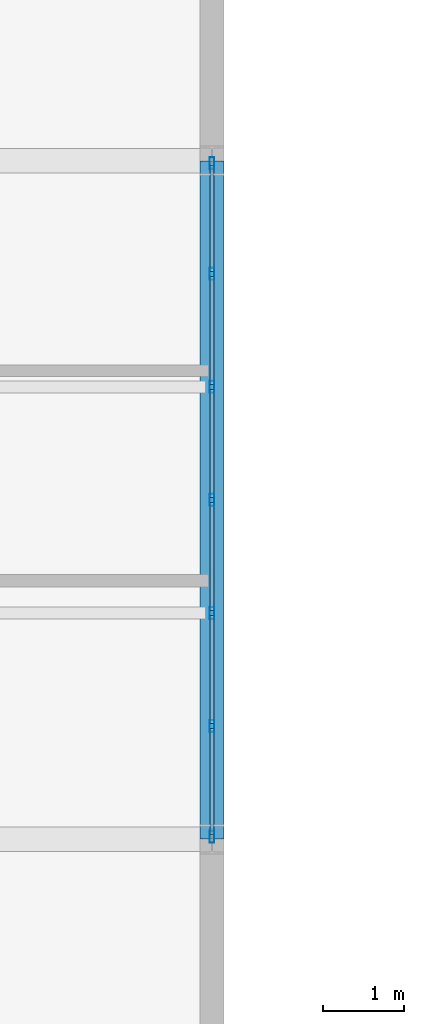
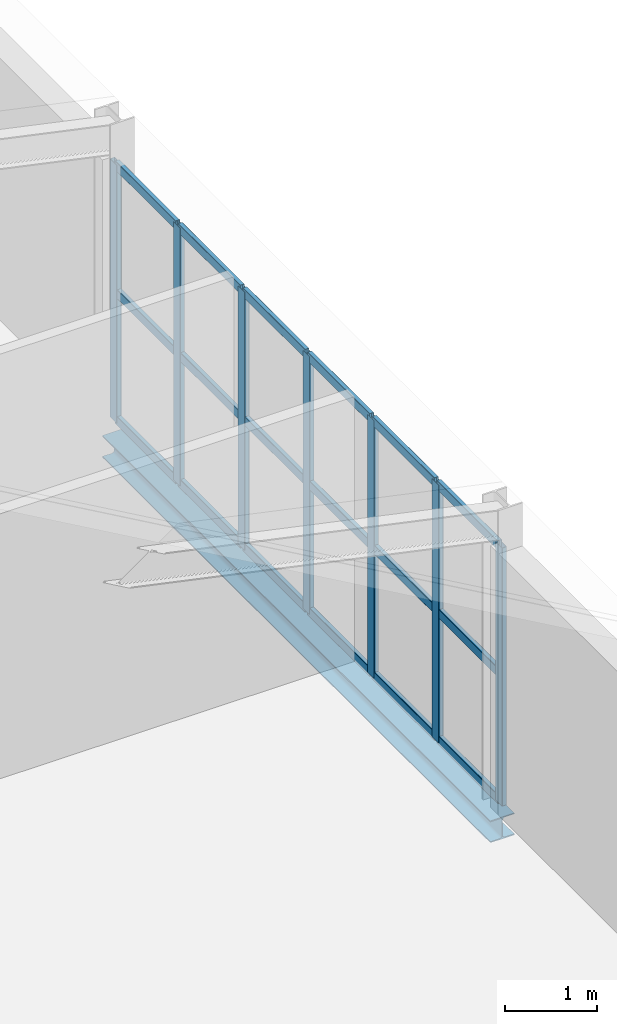
# One storey, part 58 of 184: 25 members, 1 beam, 1 element without a shape of its own.
"""IFC4 building model written with IfcOpenShell, lengths in metres."""

from ifc_helpers import new_model, si_unit, direction, frame, origin, origin_2d, place, context, subcontext, project, spatial, hollow_rectangle, i_section, extrude, material, layer, layer_set, material_profile, profile_set, type_object, element, aggregate, save


model = new_model("IFC4")

# Units and contexts
model_context = context("Model", 3, precision=1e-05, world=origin(), true_north=direction((0.0, 1.0)))
body_context = subcontext(model_context, "Body", "Model", "MODEL_VIEW")
ifc_project = project(units=[si_unit("LENGTHUNIT", "METRE"), si_unit("AREAUNIT", "SQUARE_METRE"), si_unit("VOLUMEUNIT", "CUBIC_METRE"), si_unit("PLANEANGLEUNIT", "RADIAN"), si_unit("MASSUNIT", "GRAM", prefix="KILO")], contexts=[model_context])

# Site, building, storey
site_placement = place(None, origin())
site = spatial("IfcSite", under=ifc_project, at=site_placement, CompositionType="ELEMENT")
building_placement = place(site_placement, origin())
building = spatial("IfcBuilding", under=site, at=building_placement, Name="Qalvenar Corner Mobility Hub", CompositionType="ELEMENT")
storey_placement = place(building_placement, frame((0.0, 0.0, 9.0)))
storey = spatial("IfcBuildingStorey", under=building, at=storey_placement, Name="L02", CompositionType="ELEMENT", Elevation=9.0)

# Beam
ifc_material_1 = material(Name="Steel S355", Category="steel")
ifc_material_profile_1 = material_profile(ifc_material_1, i_section(OverallWidth=0.300048828125, OverallDepth=0.2900390625, WebThickness=0.008544921875, FlangeThickness=0.013916015625, FilletRadius=0.027099609375, at=origin_2d()), Name="HEA300")
ifc_profile_set_1 = profile_set([ifc_material_profile_1], Name="Steel S355")
beam_type = type_object("IfcBeamType", Name="BM-SPN300", PredefinedType="SPANDREL", material=ifc_profile_set_1)
beam_placement = place(storey_placement, frame((33.60009765625, 50.39990234375, -0.324951171875), z_axis=(0.0, 1.0, 0.0), x_axis=(-1.0, 0.0, 0.0)))
element("IfcBeam", 1, at=beam_placement, inside=storey, type_object=beam_type, Name="Primary Steel Girder GY-1860", PredefinedType="SPANDREL", context=body_context, shape_type="SweptSolid", body=[
    extrude(i_section(OverallWidth=0.300048828125, OverallDepth=0.2900390625, WebThickness=0.008544921875, FlangeThickness=0.013916015625, FilletRadius=0.027099609375, at=origin_2d()), origin(), (0.0, 0.0, 1.0), 8.400146484375),
])

# Curtain wall, members
ifc_material_2 = material(Name="Anodised Aluminium and Low-E Glazing", Category="aluminium")
ifc_layer = layer(ifc_material_2, 0.14990234375)
ifc_layer_set = layer_set([ifc_layer], Name="Anodised Aluminium and Low-E Glazing")
curtain_wall_type = type_object("IfcCurtainWallType", Name="CW-CYC-84X39", PredefinedType="NOTDEFINED", material=ifc_layer_set)
curtain_wall_placement = place(storey_placement, origin())
curtain_wall = element("IfcCurtainWall", 2, at=curtain_wall_placement, inside=storey, type_object=curtain_wall_type, Name="Glazed Curtain Wall CW-V5-L02-E1", PredefinedType="NOTDEFINED")
ifc_material_3 = material(Name="Anodised Aluminium 6063-T6", Category="aluminium")
ifc_material_profile_2 = material_profile(ifc_material_3, hollow_rectangle(XDim=0.06005859375, YDim=0.14990234375, WallThickness=0.00390625, InnerFilletRadius=0.00390625, OuterFilletRadius=0.008056640625, at=origin_2d()), Name="RHS150x60x4")
ifc_profile_set_2 = profile_set([ifc_material_profile_2], Name="Anodised Aluminium 6063-T6")
member_type_1 = type_object("IfcMemberType", Name="CW-MUL150", PredefinedType="MULLION", material=ifc_profile_set_2)
member_1_placement = place(storey_placement, frame((33.60009765625, 50.429931640625, 0.0), z_axis=(0.0, 0.0, 1.0), x_axis=(-1.0, 0.0, 0.0)))
member_1 = element("IfcMember", 3, at=member_1_placement, type_object=member_type_1, Name="CW-08 mullion 1", PredefinedType="MULLION", context=body_context, shape_type="SweptSolid", body=[
    extrude(hollow_rectangle(XDim=0.06005859375, YDim=0.14990234375, WallThickness=0.00390625, InnerFilletRadius=0.00390625, OuterFilletRadius=0.008056640625, at=origin_2d()), origin(), (0.0, 0.0, 1.0), 3.409912109375),
])
member_2_placement = place(storey_placement, frame((33.60009765625, 51.800048828125, 0.0), z_axis=(0.0, 0.0, 1.0), x_axis=(-1.0, 0.0, 0.0)))
member_2 = element("IfcMember", 4, at=member_2_placement, type_object=member_type_1, Name="CW-08 mullion 2", PredefinedType="MULLION", context=body_context, shape_type="SweptSolid", body=[
    extrude(hollow_rectangle(XDim=0.06005859375, YDim=0.14990234375, WallThickness=0.00390625, InnerFilletRadius=0.00390625, OuterFilletRadius=0.008056640625, at=origin_2d()), origin(), (0.0, 0.0, 1.0), 3.409912109375),
])
member_3_placement = place(storey_placement, frame((33.60009765625, 53.199951171875, 0.0), z_axis=(0.0, 0.0, 1.0), x_axis=(-1.0, 0.0, 0.0)))
member_3 = element("IfcMember", 5, at=member_3_placement, type_object=member_type_1, Name="CW-08 mullion 3", PredefinedType="MULLION", context=body_context, shape_type="SweptSolid", body=[
    extrude(hollow_rectangle(XDim=0.06005859375, YDim=0.14990234375, WallThickness=0.00390625, InnerFilletRadius=0.00390625, OuterFilletRadius=0.008056640625, at=origin_2d()), origin(), (0.0, 0.0, 1.0), 3.409912109375),
])
member_4_placement = place(storey_placement, frame((33.60009765625, 54.60009765625, 0.0), z_axis=(0.0, 0.0, 1.0), x_axis=(-1.0, 0.0, 0.0)))
member_4 = element("IfcMember", 6, at=member_4_placement, type_object=member_type_1, Name="CW-08 mullion 4", PredefinedType="MULLION", context=body_context, shape_type="SweptSolid", body=[
    extrude(hollow_rectangle(XDim=0.06005859375, YDim=0.14990234375, WallThickness=0.00390625, InnerFilletRadius=0.00390625, OuterFilletRadius=0.008056640625, at=origin_2d()), origin(), (0.0, 0.0, 1.0), 3.409912109375),
])
member_5_placement = place(storey_placement, frame((33.60009765625, 56.0, 0.0), z_axis=(0.0, 0.0, 1.0), x_axis=(-1.0, 0.0, 0.0)))
member_5 = element("IfcMember", 7, at=member_5_placement, type_object=member_type_1, Name="CW-08 mullion 5", PredefinedType="MULLION", context=body_context, shape_type="SweptSolid", body=[
    extrude(hollow_rectangle(XDim=0.06005859375, YDim=0.14990234375, WallThickness=0.00390625, InnerFilletRadius=0.00390625, OuterFilletRadius=0.008056640625, at=origin_2d()), origin(), (0.0, 0.0, 1.0), 3.409912109375),
])
member_6_placement = place(storey_placement, frame((33.60009765625, 57.39990234375, 0.0), z_axis=(0.0, 0.0, 1.0), x_axis=(-1.0, 0.0, 0.0)))
member_6 = element("IfcMember", 8, at=member_6_placement, type_object=member_type_1, Name="CW-08 mullion 6", PredefinedType="MULLION", context=body_context, shape_type="SweptSolid", body=[
    extrude(hollow_rectangle(XDim=0.06005859375, YDim=0.14990234375, WallThickness=0.00390625, InnerFilletRadius=0.00390625, OuterFilletRadius=0.008056640625, at=origin_2d()), origin(), (0.0, 0.0, 1.0), 3.409912109375),
])
member_7_placement = place(storey_placement, frame((33.60009765625, 58.77001953125, 0.0), z_axis=(0.0, 0.0, 1.0), x_axis=(-1.0, 0.0, 0.0)))
member_7 = element("IfcMember", 9, at=member_7_placement, type_object=member_type_1, Name="CW-08 mullion 7", PredefinedType="MULLION", context=body_context, shape_type="SweptSolid", body=[
    extrude(hollow_rectangle(XDim=0.06005859375, YDim=0.14990234375, WallThickness=0.00390625, InnerFilletRadius=0.00390625, OuterFilletRadius=0.008056640625, at=origin_2d()), origin(), (0.0, 0.0, 1.0), 3.409912109375),
])
ifc_material_profile_3 = material_profile(ifc_material_3, hollow_rectangle(XDim=0.054931640625, YDim=0.1201171875, WallThickness=0.00341796875, InnerFilletRadius=0.00341796875, OuterFilletRadius=0.007080078125, at=origin_2d()), Name="RHS120x55x3.5")
ifc_profile_set_3 = profile_set([ifc_material_profile_3], Name="Anodised Aluminium 6063-T6")
member_type_2 = type_object("IfcMemberType", Name="CW-TRN120", PredefinedType="USERDEFINED", material=ifc_profile_set_3)
member_8_placement = place(storey_placement, frame((33.60009765625, 50.4599609375, 0.027587890625), z_axis=(0.0, 1.0, 0.0), x_axis=(-1.0, 0.0, 0.0)))
member_8 = element("IfcMember", 10, at=member_8_placement, type_object=member_type_2, Name="CW-08 transom 1.1", ObjectType="TRANSOM", PredefinedType="USERDEFINED", context=body_context, shape_type="SweptSolid", body=[
    extrude(hollow_rectangle(XDim=0.054931640625, YDim=0.1201171875, WallThickness=0.00341796875, InnerFilletRadius=0.00341796875, OuterFilletRadius=0.007080078125, at=origin_2d()), origin(), (0.0, 0.0, 1.0), 1.31005859375),
])
member_9_placement = place(storey_placement, frame((33.60009765625, 50.4599609375, 1.705078125), z_axis=(0.0, 1.0, 0.0), x_axis=(-1.0, 0.0, 0.0)))
member_9 = element("IfcMember", 11, at=member_9_placement, type_object=member_type_2, Name="CW-08 transom 1.2", ObjectType="TRANSOM", PredefinedType="USERDEFINED", context=body_context, shape_type="SweptSolid", body=[
    extrude(hollow_rectangle(XDim=0.054931640625, YDim=0.1201171875, WallThickness=0.00341796875, InnerFilletRadius=0.00341796875, OuterFilletRadius=0.007080078125, at=origin_2d()), origin(), (0.0, 0.0, 1.0), 1.31005859375),
])
member_10_placement = place(storey_placement, frame((33.60009765625, 50.4599609375, 3.382568359375), z_axis=(0.0, 1.0, 0.0), x_axis=(-1.0, 0.0, 0.0)))
member_10 = element("IfcMember", 12, at=member_10_placement, type_object=member_type_2, Name="CW-08 transom 1.3", ObjectType="TRANSOM", PredefinedType="USERDEFINED", context=body_context, shape_type="SweptSolid", body=[
    extrude(hollow_rectangle(XDim=0.054931640625, YDim=0.1201171875, WallThickness=0.00341796875, InnerFilletRadius=0.00341796875, OuterFilletRadius=0.007080078125, at=origin_2d()), origin(), (0.0, 0.0, 1.0), 1.31005859375),
])
member_11_placement = place(storey_placement, frame((33.60009765625, 51.830078125, 0.027587890625), z_axis=(0.0, 1.0, 0.0), x_axis=(-1.0, 0.0, 0.0)))
member_11 = element("IfcMember", 13, at=member_11_placement, type_object=member_type_2, Name="CW-08 transom 2.1", ObjectType="TRANSOM", PredefinedType="USERDEFINED", context=body_context, shape_type="SweptSolid", body=[
    extrude(hollow_rectangle(XDim=0.054931640625, YDim=0.1201171875, WallThickness=0.00341796875, InnerFilletRadius=0.00341796875, OuterFilletRadius=0.007080078125, at=origin_2d()), origin(), (0.0, 0.0, 1.0), 1.33984375),
])
member_12_placement = place(storey_placement, frame((33.60009765625, 51.830078125, 1.705078125), z_axis=(0.0, 1.0, 0.0), x_axis=(-1.0, 0.0, 0.0)))
member_12 = element("IfcMember", 14, at=member_12_placement, type_object=member_type_2, Name="CW-08 transom 2.2", ObjectType="TRANSOM", PredefinedType="USERDEFINED", context=body_context, shape_type="SweptSolid", body=[
    extrude(hollow_rectangle(XDim=0.054931640625, YDim=0.1201171875, WallThickness=0.00341796875, InnerFilletRadius=0.00341796875, OuterFilletRadius=0.007080078125, at=origin_2d()), origin(), (0.0, 0.0, 1.0), 1.33984375),
])
member_13_placement = place(storey_placement, frame((33.60009765625, 51.830078125, 3.382568359375), z_axis=(0.0, 1.0, 0.0), x_axis=(-1.0, 0.0, 0.0)))
member_13 = element("IfcMember", 15, at=member_13_placement, type_object=member_type_2, Name="CW-08 transom 2.3", ObjectType="TRANSOM", PredefinedType="USERDEFINED", context=body_context, shape_type="SweptSolid", body=[
    extrude(hollow_rectangle(XDim=0.054931640625, YDim=0.1201171875, WallThickness=0.00341796875, InnerFilletRadius=0.00341796875, OuterFilletRadius=0.007080078125, at=origin_2d()), origin(), (0.0, 0.0, 1.0), 1.33984375),
])
member_14_placement = place(storey_placement, frame((33.60009765625, 53.22998046875, 0.027587890625), z_axis=(0.0, 1.0, 0.0), x_axis=(-1.0, 0.0, 0.0)))
member_14 = element("IfcMember", 16, at=member_14_placement, type_object=member_type_2, Name="CW-08 transom 3.1", ObjectType="TRANSOM", PredefinedType="USERDEFINED", context=body_context, shape_type="SweptSolid", body=[
    extrude(hollow_rectangle(XDim=0.054931640625, YDim=0.1201171875, WallThickness=0.00341796875, InnerFilletRadius=0.00341796875, OuterFilletRadius=0.007080078125, at=origin_2d()), origin(), (0.0, 0.0, 1.0), 1.340087890625),
])
member_15_placement = place(storey_placement, frame((33.60009765625, 53.22998046875, 1.705078125), z_axis=(0.0, 1.0, 0.0), x_axis=(-1.0, 0.0, 0.0)))
member_15 = element("IfcMember", 17, at=member_15_placement, type_object=member_type_2, Name="CW-08 transom 3.2", ObjectType="TRANSOM", PredefinedType="USERDEFINED", context=body_context, shape_type="SweptSolid", body=[
    extrude(hollow_rectangle(XDim=0.054931640625, YDim=0.1201171875, WallThickness=0.00341796875, InnerFilletRadius=0.00341796875, OuterFilletRadius=0.007080078125, at=origin_2d()), origin(), (0.0, 0.0, 1.0), 1.340087890625),
])
member_16_placement = place(storey_placement, frame((33.60009765625, 53.22998046875, 3.382568359375), z_axis=(0.0, 1.0, 0.0), x_axis=(-1.0, 0.0, 0.0)))
member_16 = element("IfcMember", 18, at=member_16_placement, type_object=member_type_2, Name="CW-08 transom 3.3", ObjectType="TRANSOM", PredefinedType="USERDEFINED", context=body_context, shape_type="SweptSolid", body=[
    extrude(hollow_rectangle(XDim=0.054931640625, YDim=0.1201171875, WallThickness=0.00341796875, InnerFilletRadius=0.00341796875, OuterFilletRadius=0.007080078125, at=origin_2d()), origin(), (0.0, 0.0, 1.0), 1.340087890625),
])
member_17_placement = place(storey_placement, frame((33.60009765625, 54.6298828125, 0.027587890625), z_axis=(0.0, 1.0, 0.0), x_axis=(-1.0, 0.0, 0.0)))
member_17 = element("IfcMember", 19, at=member_17_placement, type_object=member_type_2, Name="CW-08 transom 4.1", ObjectType="TRANSOM", PredefinedType="USERDEFINED", context=body_context, shape_type="SweptSolid", body=[
    extrude(hollow_rectangle(XDim=0.054931640625, YDim=0.1201171875, WallThickness=0.00341796875, InnerFilletRadius=0.00341796875, OuterFilletRadius=0.007080078125, at=origin_2d()), origin(), (0.0, 0.0, 1.0), 1.340087890625),
])
member_18_placement = place(storey_placement, frame((33.60009765625, 54.6298828125, 1.705078125), z_axis=(0.0, 1.0, 0.0), x_axis=(-1.0, 0.0, 0.0)))
member_18 = element("IfcMember", 20, at=member_18_placement, type_object=member_type_2, Name="CW-08 transom 4.2", ObjectType="TRANSOM", PredefinedType="USERDEFINED", context=body_context, shape_type="SweptSolid", body=[
    extrude(hollow_rectangle(XDim=0.054931640625, YDim=0.1201171875, WallThickness=0.00341796875, InnerFilletRadius=0.00341796875, OuterFilletRadius=0.007080078125, at=origin_2d()), origin(), (0.0, 0.0, 1.0), 1.340087890625),
])
member_19_placement = place(storey_placement, frame((33.60009765625, 54.6298828125, 3.382568359375), z_axis=(0.0, 1.0, 0.0), x_axis=(-1.0, 0.0, 0.0)))
member_19 = element("IfcMember", 21, at=member_19_placement, type_object=member_type_2, Name="CW-08 transom 4.3", ObjectType="TRANSOM", PredefinedType="USERDEFINED", context=body_context, shape_type="SweptSolid", body=[
    extrude(hollow_rectangle(XDim=0.054931640625, YDim=0.1201171875, WallThickness=0.00341796875, InnerFilletRadius=0.00341796875, OuterFilletRadius=0.007080078125, at=origin_2d()), origin(), (0.0, 0.0, 1.0), 1.340087890625),
])
member_20_placement = place(storey_placement, frame((33.60009765625, 56.030029296875, 0.027587890625), z_axis=(0.0, 1.0, 0.0), x_axis=(-1.0, 0.0, 0.0)))
member_20 = element("IfcMember", 22, at=member_20_placement, type_object=member_type_2, Name="CW-08 transom 5.1", ObjectType="TRANSOM", PredefinedType="USERDEFINED", context=body_context, shape_type="SweptSolid", body=[
    extrude(hollow_rectangle(XDim=0.054931640625, YDim=0.1201171875, WallThickness=0.00341796875, InnerFilletRadius=0.00341796875, OuterFilletRadius=0.007080078125, at=origin_2d()), origin(), (0.0, 0.0, 1.0), 1.340087890625),
])
member_21_placement = place(storey_placement, frame((33.60009765625, 56.030029296875, 1.705078125), z_axis=(0.0, 1.0, 0.0), x_axis=(-1.0, 0.0, 0.0)))
member_21 = element("IfcMember", 23, at=member_21_placement, type_object=member_type_2, Name="CW-08 transom 5.2", ObjectType="TRANSOM", PredefinedType="USERDEFINED", context=body_context, shape_type="SweptSolid", body=[
    extrude(hollow_rectangle(XDim=0.054931640625, YDim=0.1201171875, WallThickness=0.00341796875, InnerFilletRadius=0.00341796875, OuterFilletRadius=0.007080078125, at=origin_2d()), origin(), (0.0, 0.0, 1.0), 1.340087890625),
])
member_22_placement = place(storey_placement, frame((33.60009765625, 56.030029296875, 3.382568359375), z_axis=(0.0, 1.0, 0.0), x_axis=(-1.0, 0.0, 0.0)))
member_22 = element("IfcMember", 24, at=member_22_placement, type_object=member_type_2, Name="CW-08 transom 5.3", ObjectType="TRANSOM", PredefinedType="USERDEFINED", context=body_context, shape_type="SweptSolid", body=[
    extrude(hollow_rectangle(XDim=0.054931640625, YDim=0.1201171875, WallThickness=0.00341796875, InnerFilletRadius=0.00341796875, OuterFilletRadius=0.007080078125, at=origin_2d()), origin(), (0.0, 0.0, 1.0), 1.340087890625),
])
member_23_placement = place(storey_placement, frame((33.60009765625, 57.429931640625, 0.027587890625), z_axis=(0.0, 1.0, 0.0), x_axis=(-1.0, 0.0, 0.0)))
member_23 = element("IfcMember", 25, at=member_23_placement, type_object=member_type_2, Name="CW-08 transom 6.1", ObjectType="TRANSOM", PredefinedType="USERDEFINED", context=body_context, shape_type="SweptSolid", body=[
    extrude(hollow_rectangle(XDim=0.054931640625, YDim=0.1201171875, WallThickness=0.00341796875, InnerFilletRadius=0.00341796875, OuterFilletRadius=0.007080078125, at=origin_2d()), origin(), (0.0, 0.0, 1.0), 1.31005859375),
])
member_24_placement = place(storey_placement, frame((33.60009765625, 57.429931640625, 1.705078125), z_axis=(0.0, 1.0, 0.0), x_axis=(-1.0, 0.0, 0.0)))
member_24 = element("IfcMember", 26, at=member_24_placement, type_object=member_type_2, Name="CW-08 transom 6.2", ObjectType="TRANSOM", PredefinedType="USERDEFINED", context=body_context, shape_type="SweptSolid", body=[
    extrude(hollow_rectangle(XDim=0.054931640625, YDim=0.1201171875, WallThickness=0.00341796875, InnerFilletRadius=0.00341796875, OuterFilletRadius=0.007080078125, at=origin_2d()), origin(), (0.0, 0.0, 1.0), 1.31005859375),
])
member_25_placement = place(storey_placement, frame((33.60009765625, 57.429931640625, 3.382568359375), z_axis=(0.0, 1.0, 0.0), x_axis=(-1.0, 0.0, 0.0)))
member_25 = element("IfcMember", 27, at=member_25_placement, type_object=member_type_2, Name="CW-08 transom 6.3", ObjectType="TRANSOM", PredefinedType="USERDEFINED", context=body_context, shape_type="SweptSolid", body=[
    extrude(hollow_rectangle(XDim=0.054931640625, YDim=0.1201171875, WallThickness=0.00341796875, InnerFilletRadius=0.00341796875, OuterFilletRadius=0.007080078125, at=origin_2d()), origin(), (0.0, 0.0, 1.0), 1.31005859375),
])
aggregate(curtain_wall, [member_1, member_2, member_3, member_4, member_5, member_6, member_7, member_8, member_9, member_10, member_11, member_12, member_13, member_14, member_15, member_16, member_17, member_18, member_19, member_20, member_21, member_22, member_23, member_24, member_25])

save(model, "model.ifc")
